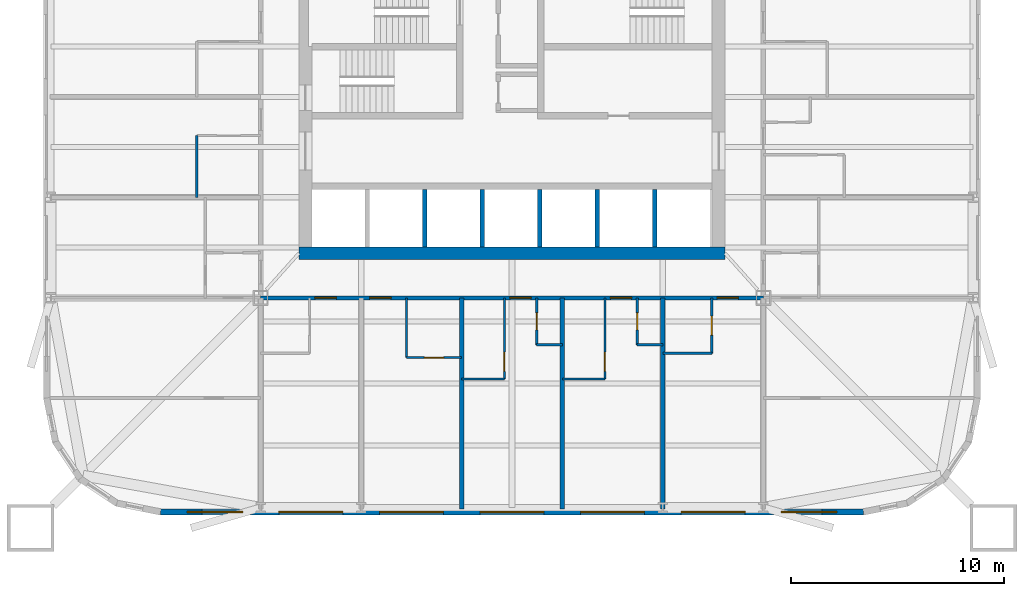
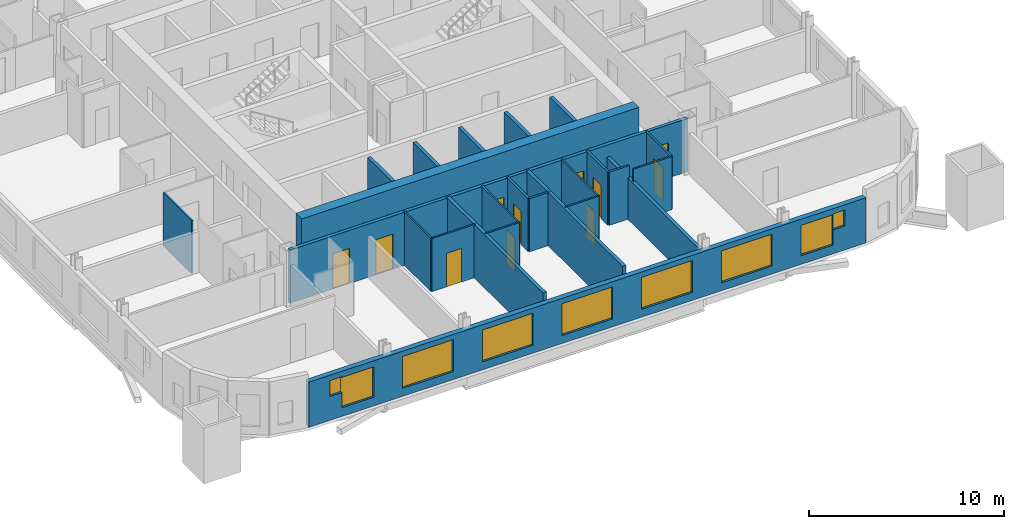
# One storey, part 3 of 10: 24 walls, 11 doors, 9 windows, 20 openings.
"""IFC4 building model written with IfcOpenShell, lengths in metres."""

from ifc_helpers import new_model, si_unit, direction, frame, frame_2d, origin, place, context, subcontext, project, spatial, rectangle, extrude, material, layer, layer_set, type_object, element, fill, save


model = new_model("IFC4")

# Units and contexts
model_context = context("Model", 3, precision=1e-05, world=origin(), true_north=direction((0.0, 1.0)))
body_context = subcontext(model_context, "Body", "Model", "MODEL_VIEW")
ifc_project = project(units=[si_unit("LENGTHUNIT", "METRE"), si_unit("AREAUNIT", "SQUARE_METRE"), si_unit("VOLUMEUNIT", "CUBIC_METRE"), si_unit("PLANEANGLEUNIT", "RADIAN"), si_unit("MASSUNIT", "GRAM", prefix="KILO")], contexts=[model_context])

# Site, building, storey
site_placement = place(None, origin())
site = spatial("IfcSite", under=ifc_project, at=site_placement, CompositionType="ELEMENT")
building_placement = place(site_placement, origin())
building = spatial("IfcBuilding", under=site, at=building_placement, Name="Turquesa Mirador Hotel Tower", CompositionType="ELEMENT")
storey_placement = place(building_placement, frame((0.0, 0.0, 77.5)))
storey = spatial("IfcBuildingStorey", under=building, at=storey_placement, Name="L20", CompositionType="ELEMENT", Elevation=77.5)

# Wall
ifc_material_1 = material(Name="Gypsum board on steel studs", Category="steel")
ifc_layer_1 = layer(ifc_material_1, 0.10009765625)
ifc_layer_set_1 = layer_set([ifc_layer_1], Name="BATHROOM WALL 100")
wall_type_1 = type_object("IfcWallType", Name="BATHROOM WALL 100", PredefinedType="PARTITIONING", material=ifc_layer_set_1)
wall_1_placement = place(storey_placement, frame((62.080078125, 30.60009765625, 0.0), z_axis=(0.0, 0.0, 1.0), x_axis=(1.0, 0.0, 0.0)))
element("IfcWall", 1, at=wall_1_placement, inside=storey, type_object=wall_type_1, Name="Partition L20 007", PredefinedType="PARTITIONING", context=body_context, shape_type="SweptSolid", body=[
    extrude(rectangle(XDim=2.2998046875, YDim=0.10009765625, at=frame_2d((1.14990234375, 0.0))), origin(), (0.0, 0.0, 1.0), 3.330078125),
])

# Wall, opening, door
wall_2_placement = place(storey_placement, frame((50.0400390625, 30.39990234375, 0.0), z_axis=(0.0, 0.0, 1.0), x_axis=(1.0, 0.0, 0.0)))
wall_2 = element("IfcWall", 2, at=wall_2_placement, inside=storey, type_object=wall_type_1, Name="Partition L20 008", PredefinedType="PARTITIONING", context=body_context, shape_type="SweptSolid", body=[
    extrude(rectangle(XDim=2.599853515625, YDim=0.10009765625, at=frame_2d((1.2998046875, 0.0))), origin(), (0.0, 0.0, 1.0), 3.330078125),
])
opening_1_placement = place(wall_2_placement, frame((0.85009765625, 0.0, 0.0)))
opening_1 = element("IfcOpeningElement", 3, at=opening_1_placement, cuts=wall_2, Name="Opening D02", PredefinedType="OPENING", context=body_context, shape_type="SweptSolid", body=[
    extrude(rectangle(XDim=0.89990234375, YDim=2.10009765625, at=frame_2d((0.449951171875, 1.050048828125))), frame((0.0, 0.06005859375, 0.0), z_axis=(0.0, -1.0, 0.0), x_axis=(1.0, 0.0, 0.0)), (0.0, 0.0, 1.0), 0.1201171875),
])
ifc_material_2 = material(Name="Timber veneered door", Category="wood")
door_type_1 = type_object("IfcDoorType", Name="DOOR 900X2100 EN-SUITE", OperationType="SINGLE_SWING_RIGHT", PredefinedType="DOOR", material=ifc_material_2)
door_1_placement = place(opening_1_placement, origin())
door_1 = element("IfcDoor", 4, at=door_1_placement, inside=storey, type_object=door_type_1, Name="Door 2004B", OperationType="SINGLE_SWING_RIGHT", OverallHeight=2.10009765625, OverallWidth=0.89990234375, PredefinedType="DOOR", context=body_context, shape_type="SweptSolid", body=[
    extrude(rectangle(XDim=0.89990234375, YDim=2.10009765625, at=frame_2d((0.449951171875, 1.050048828125))), frame((0.0, 0.02490234375, 0.0), z_axis=(0.0, -1.0, 0.0), x_axis=(1.0, 0.0, 0.0)), (0.0, 0.0, 1.0), 0.050048828125),
])
fill(opening_1, door_1)

# Walls
for number, where, z_axis, x_axis, name in (
    (5, (52.639892578125, 29.39990234375, 0.0), (0.0, 0.0, 1.0), (1.0, 0.0, 0.0), "Partition L20 009"),
    (6, (57.360107421875, 29.39990234375, 0.0), (0.0, 0.0, 1.0), (1.0, 0.0, 0.0), "Partition L20 010"),
):
    element("IfcWall", number, at=place(storey_placement, frame(where, z_axis=z_axis, x_axis=x_axis)), inside=storey, type_object=wall_type_1, Name=name, PredefinedType="PARTITIONING", context=body_context, shape_type="SweptSolid", body=[
        extrude(rectangle(XDim=2.0, YDim=0.10009765625, at=frame_2d((1.0, 0.0))), origin(), (0.0, 0.0, 1.0), 3.330078125),
    ])

# Wall, opening, door
wall_3_placement = place(storey_placement, frame((54.639892578125, 29.39990234375, 0.0), z_axis=(0.0, 0.0, 1.0), x_axis=(0.0, 1.0, 0.0)))
wall_3 = element("IfcWall", 7, at=wall_3_placement, inside=storey, type_object=wall_type_1, Name="Partition L20 041", PredefinedType="PARTITIONING", context=body_context, shape_type="SweptSolid", body=[
    extrude(rectangle(XDim=3.800048828125, YDim=0.10009765625, at=frame_2d((1.89990234375, 0.0))), origin(), (0.0, 0.0, 1.0), 3.330078125),
])
opening_2_placement = place(wall_3_placement, frame((0.35009765625, 0.0, 0.0)))
opening_2 = element("IfcOpeningElement", 8, at=opening_2_placement, cuts=wall_3, Name="Opening D02", PredefinedType="OPENING", context=body_context, shape_type="SweptSolid", body=[
    extrude(rectangle(XDim=0.89990234375, YDim=2.10009765625, at=frame_2d((0.449951171875, 1.050048828125))), frame((0.0, 0.06005859375, 0.0), z_axis=(0.0, -1.0, 0.0), x_axis=(1.0, 0.0, 0.0)), (0.0, 0.0, 1.0), 0.1201171875),
])
door_2_placement = place(opening_2_placement, origin())
door_2 = element("IfcDoor", 9, at=door_2_placement, inside=storey, type_object=door_type_1, Name="Door 2005B", OperationType="SINGLE_SWING_RIGHT", OverallHeight=2.10009765625, OverallWidth=0.89990234375, PredefinedType="DOOR", context=body_context, shape_type="SweptSolid", body=[
    extrude(rectangle(XDim=0.89990234375, YDim=2.10009765625, at=frame_2d((0.449951171875, 1.050048828125))), frame((0.0, 0.02490234375, 0.0), z_axis=(0.0, -1.0, 0.0), x_axis=(1.0, 0.0, 0.0)), (0.0, 0.0, 1.0), 0.050048828125),
])
fill(opening_2, door_2)

# Walls
wall_4_placement = place(storey_placement, frame((40.199951171875, 37.919921875, 0.0), z_axis=(0.0, 0.0, 1.0), x_axis=(0.0, 1.0, 0.0)))
element("IfcWall", 10, at=wall_4_placement, inside=storey, type_object=wall_type_1, Name="Partition L20 051", PredefinedType="PARTITIONING", context=body_context, shape_type="SweptSolid", body=[
    extrude(rectangle(XDim=2.900146484375, YDim=0.10009765625, at=frame_2d((1.4501953125, 0.0))), origin(), (0.0, 0.0, 1.0), 3.330078125),
])
wall_5_placement = place(storey_placement, frame((50.0400390625, 30.39990234375, 0.0), z_axis=(0.0, 0.0, 1.0), x_axis=(0.0, 1.0, 0.0)))
element("IfcWall", 11, at=wall_5_placement, inside=storey, type_object=wall_type_1, Name="Partition L20 056", PredefinedType="PARTITIONING", context=body_context, shape_type="SweptSolid", body=[
    extrude(rectangle(XDim=2.800048828125, YDim=0.10009765625, at=frame_2d((1.39990234375, 0.0))), origin(), (0.0, 0.0, 1.0), 3.330078125),
])

# Wall, opening, door
wall_6_placement = place(storey_placement, frame((59.360107421875, 29.39990234375, 0.0), z_axis=(0.0, 0.0, 1.0), x_axis=(0.0, 1.0, 0.0)))
wall_6 = element("IfcWall", 12, at=wall_6_placement, inside=storey, type_object=wall_type_1, Name="Partition L20 075", PredefinedType="PARTITIONING", context=body_context, shape_type="SweptSolid", body=[
    extrude(rectangle(XDim=3.800048828125, YDim=0.10009765625, at=frame_2d((1.89990234375, 0.0))), origin(), (0.0, 0.0, 1.0), 3.330078125),
])
opening_3_placement = place(wall_6_placement, frame((0.35009765625, 0.0, 0.0)))
opening_3 = element("IfcOpeningElement", 13, at=opening_3_placement, cuts=wall_6, Name="Opening D02", PredefinedType="OPENING", context=body_context, shape_type="SweptSolid", body=[
    extrude(rectangle(XDim=0.89990234375, YDim=2.10009765625, at=frame_2d((0.449951171875, 1.050048828125))), frame((0.0, 0.06005859375, 0.0), z_axis=(0.0, -1.0, 0.0), x_axis=(1.0, 0.0, 0.0)), (0.0, 0.0, 1.0), 0.1201171875),
])
door_3_placement = place(opening_3_placement, origin())
door_3 = element("IfcDoor", 14, at=door_3_placement, inside=storey, type_object=door_type_1, Name="Door 2006B", OperationType="SINGLE_SWING_RIGHT", OverallHeight=2.10009765625, OverallWidth=0.89990234375, PredefinedType="DOOR", context=body_context, shape_type="SweptSolid", body=[
    extrude(rectangle(XDim=0.89990234375, YDim=2.10009765625, at=frame_2d((0.449951171875, 1.050048828125))), frame((0.0, 0.02490234375, 0.0), z_axis=(0.0, -1.0, 0.0), x_axis=(1.0, 0.0, 0.0)), (0.0, 0.0, 1.0), 0.050048828125),
])
fill(opening_3, door_3)

wall_7_placement = place(storey_placement, frame((64.3798828125, 30.60009765625, 0.0), z_axis=(0.0, 0.0, 1.0), x_axis=(0.0, 1.0, 0.0)))
wall_7 = element("IfcWall", 15, at=wall_7_placement, inside=storey, type_object=wall_type_1, Name="Partition L20 079", PredefinedType="PARTITIONING", context=body_context, shape_type="SweptSolid", body=[
    extrude(rectangle(XDim=2.599853515625, YDim=0.10009765625, at=frame_2d((1.2998046875, 0.0))), origin(), (0.0, 0.0, 1.0), 3.330078125),
])
opening_4_placement = place(wall_7_placement, frame((0.85009765625, 0.0, 0.0)))
opening_4 = element("IfcOpeningElement", 16, at=opening_4_placement, cuts=wall_7, Name="Opening D02", PredefinedType="OPENING", context=body_context, shape_type="SweptSolid", body=[
    extrude(rectangle(XDim=0.89990234375, YDim=2.10009765625, at=frame_2d((0.449951171875, 1.050048828125))), frame((0.0, 0.06005859375, 0.0), z_axis=(0.0, -1.0, 0.0), x_axis=(1.0, 0.0, 0.0)), (0.0, 0.0, 1.0), 0.1201171875),
])
door_4_placement = place(opening_4_placement, origin())
door_4 = element("IfcDoor", 17, at=door_4_placement, inside=storey, type_object=door_type_1, Name="Door 2007B", OperationType="SINGLE_SWING_RIGHT", OverallHeight=2.10009765625, OverallWidth=0.89990234375, PredefinedType="DOOR", context=body_context, shape_type="SweptSolid", body=[
    extrude(rectangle(XDim=0.89990234375, YDim=2.10009765625, at=frame_2d((0.449951171875, 1.050048828125))), frame((0.0, 0.02490234375, 0.0), z_axis=(0.0, -1.0, 0.0), x_axis=(1.0, 0.0, 0.0)), (0.0, 0.0, 1.0), 0.050048828125),
])
fill(opening_4, door_4)

# Wall
ifc_material_3 = material(Name="Concrete C50/60", Category="concrete")
ifc_layer_2 = layer(ifc_material_3, 0.60009765625)
ifc_layer_set_2 = layer_set([ifc_layer_2], Name="CORE WALL 600")
wall_type_2 = type_object("IfcWallType", Name="CORE WALL 600", PredefinedType="SHEAR", material=ifc_layer_set_2)
wall_8_placement = place(storey_placement, frame((45.0, 35.300048828125, 0.0), z_axis=(0.0, 0.0, 1.0), x_axis=(1.0, 0.0, 0.0)))
element("IfcWall", 18, at=wall_8_placement, inside=storey, type_object=wall_type_2, Name="Core wall S", PredefinedType="SHEAR", context=body_context, shape_type="SweptSolid", body=[
    extrude(rectangle(XDim=20.0, YDim=0.60009765625, at=frame_2d((10.0, 0.0))), origin(), (0.0, 0.0, 1.0), 3.5),
])

# Wall, openings, doors
ifc_material_4 = material(Name="Fire-rated gypsum board on steel studs", Category="steel")
ifc_layer_3 = layer(ifc_material_4, 0.199951171875)
ifc_layer_set_3 = layer_set([ifc_layer_3], Name="CORRIDOR WALL 200")
wall_type_3 = type_object("IfcWallType", Name="CORRIDOR WALL 200", PredefinedType="PARTITIONING", material=ifc_layer_set_3)
wall_9_placement = place(storey_placement, frame((43.199951171875, 33.199951171875, 0.0), z_axis=(0.0, 0.0, 1.0), x_axis=(1.0, 0.0, 0.0)))
wall_9 = element("IfcWall", 19, at=wall_9_placement, inside=storey, type_object=wall_type_3, Name="Partition L20 001", PredefinedType="PARTITIONING", context=body_context, shape_type="SweptSolid", body=[
    extrude(rectangle(XDim=23.60009765625, YDim=0.199951171875, at=frame_2d((11.800048828125, 0.0))), origin(), (0.0, 0.0, 1.0), 3.330078125),
])
opening_5_placement = place(wall_9_placement, frame((2.550048828125, 0.0, 0.0)))
opening_5 = element("IfcOpeningElement", 20, at=opening_5_placement, cuts=wall_9, Name="Opening D01", PredefinedType="OPENING", context=body_context, shape_type="SweptSolid", body=[
    extrude(rectangle(XDim=1.0, YDim=2.199951171875, at=frame_2d((0.5, 1.10009765625))), frame((0.0, 0.10986328125, 0.0), z_axis=(0.0, -1.0, 0.0), x_axis=(1.0, 0.0, 0.0)), (0.0, 0.0, 1.0), 0.219970703125),
])
opening_6_placement = place(wall_9_placement, frame((5.1201171875, 0.0, 0.0)))
opening_6 = element("IfcOpeningElement", 21, at=opening_6_placement, cuts=wall_9, Name="Opening D01", PredefinedType="OPENING", context=body_context, shape_type="SweptSolid", body=[
    extrude(rectangle(XDim=1.0, YDim=2.199951171875, at=frame_2d((0.5, 1.10009765625))), frame((0.0, 0.10986328125, 0.0), z_axis=(0.0, -1.0, 0.0), x_axis=(1.0, 0.0, 0.0)), (0.0, 0.0, 1.0), 0.219970703125),
])
opening_7_placement = place(wall_9_placement, frame((11.699951171875, 0.0, 0.0)))
opening_7 = element("IfcOpeningElement", 22, at=opening_7_placement, cuts=wall_9, Name="Opening D01", PredefinedType="OPENING", context=body_context, shape_type="SweptSolid", body=[
    extrude(rectangle(XDim=1.0, YDim=2.199951171875, at=frame_2d((0.5, 1.10009765625))), frame((0.0, 0.10986328125, 0.0), z_axis=(0.0, -1.0, 0.0), x_axis=(1.0, 0.0, 0.0)), (0.0, 0.0, 1.0), 0.219970703125),
])
opening_8_placement = place(wall_9_placement, frame((16.419921875, 0.0, 0.0)))
opening_8 = element("IfcOpeningElement", 23, at=opening_8_placement, cuts=wall_9, Name="Opening D01", PredefinedType="OPENING", context=body_context, shape_type="SweptSolid", body=[
    extrude(rectangle(XDim=1.0, YDim=2.199951171875, at=frame_2d((0.5, 1.10009765625))), frame((0.0, 0.10986328125, 0.0), z_axis=(0.0, -1.0, 0.0), x_axis=(1.0, 0.0, 0.0)), (0.0, 0.0, 1.0), 0.219970703125),
])
opening_9_placement = place(wall_9_placement, frame((21.429931640625, 0.0, 0.0)))
opening_9 = element("IfcOpeningElement", 24, at=opening_9_placement, cuts=wall_9, Name="Opening D01", PredefinedType="OPENING", context=body_context, shape_type="SweptSolid", body=[
    extrude(rectangle(XDim=1.0, YDim=2.199951171875, at=frame_2d((0.5, 1.10009765625))), frame((0.0, 0.10986328125, 0.0), z_axis=(0.0, -1.0, 0.0), x_axis=(1.0, 0.0, 0.0)), (0.0, 0.0, 1.0), 0.219970703125),
])
ifc_material_5 = material(Name="Timber veneered fire door", Category="wood")
door_type_2 = type_object("IfcDoorType", Name="DOOR 1000X2200 GUEST ENTRY", OperationType="SINGLE_SWING_LEFT", PredefinedType="DOOR", material=ifc_material_5)
door_5_placement = place(opening_5_placement, origin())
door_5 = element("IfcDoor", 25, at=door_5_placement, inside=storey, type_object=door_type_2, Name="Door 2003", OperationType="SINGLE_SWING_LEFT", OverallHeight=2.199951171875, OverallWidth=1.0, PredefinedType="DOOR", context=body_context, shape_type="SweptSolid", body=[
    extrude(rectangle(XDim=1.0, YDim=2.199951171875, at=frame_2d((0.5, 1.10009765625))), frame((0.0, 0.02490234375, 0.0), z_axis=(0.0, -1.0, 0.0), x_axis=(1.0, 0.0, 0.0)), (0.0, 0.0, 1.0), 0.050048828125),
])
fill(opening_5, door_5)
door_6_placement = place(opening_6_placement, origin())
door_6 = element("IfcDoor", 26, at=door_6_placement, inside=storey, type_object=door_type_2, Name="Door 2004", OperationType="SINGLE_SWING_LEFT", OverallHeight=2.199951171875, OverallWidth=1.0, PredefinedType="DOOR", context=body_context, shape_type="SweptSolid", body=[
    extrude(rectangle(XDim=1.0, YDim=2.199951171875, at=frame_2d((0.5, 1.10009765625))), frame((0.0, 0.02490234375, 0.0), z_axis=(0.0, -1.0, 0.0), x_axis=(1.0, 0.0, 0.0)), (0.0, 0.0, 1.0), 0.050048828125),
])
fill(opening_6, door_6)
door_7_placement = place(opening_7_placement, origin())
door_7 = element("IfcDoor", 27, at=door_7_placement, inside=storey, type_object=door_type_2, Name="Door 2005", OperationType="SINGLE_SWING_LEFT", OverallHeight=2.199951171875, OverallWidth=1.0, PredefinedType="DOOR", context=body_context, shape_type="SweptSolid", body=[
    extrude(rectangle(XDim=1.0, YDim=2.199951171875, at=frame_2d((0.5, 1.10009765625))), frame((0.0, 0.02490234375, 0.0), z_axis=(0.0, -1.0, 0.0), x_axis=(1.0, 0.0, 0.0)), (0.0, 0.0, 1.0), 0.050048828125),
])
fill(opening_7, door_7)
door_8_placement = place(opening_8_placement, origin())
door_8 = element("IfcDoor", 28, at=door_8_placement, inside=storey, type_object=door_type_2, Name="Door 2006", OperationType="SINGLE_SWING_LEFT", OverallHeight=2.199951171875, OverallWidth=1.0, PredefinedType="DOOR", context=body_context, shape_type="SweptSolid", body=[
    extrude(rectangle(XDim=1.0, YDim=2.199951171875, at=frame_2d((0.5, 1.10009765625))), frame((0.0, 0.02490234375, 0.0), z_axis=(0.0, -1.0, 0.0), x_axis=(1.0, 0.0, 0.0)), (0.0, 0.0, 1.0), 0.050048828125),
])
fill(opening_8, door_8)
door_9_placement = place(opening_9_placement, origin())
door_9 = element("IfcDoor", 29, at=door_9_placement, inside=storey, type_object=door_type_2, Name="Door 2007", OperationType="SINGLE_SWING_LEFT", OverallHeight=2.199951171875, OverallWidth=1.0, PredefinedType="DOOR", context=body_context, shape_type="SweptSolid", body=[
    extrude(rectangle(XDim=1.0, YDim=2.199951171875, at=frame_2d((0.5, 1.10009765625))), frame((0.0, 0.02490234375, 0.0), z_axis=(0.0, -1.0, 0.0), x_axis=(1.0, 0.0, 0.0)), (0.0, 0.0, 1.0), 0.050048828125),
])
fill(opening_9, door_9)

# Wall, openings, windows
ifc_material_6 = material(Name="Limestone cladding on concrete block", Category="masonry")
ifc_layer_4 = layer(ifc_material_6, 0.300048828125)
ifc_layer_set_4 = layer_set([ifc_layer_4], Name="FACADE WALL 300 STONE SCREEN")
wall_type_4 = type_object("IfcWallType", Name="FACADE WALL 300 STONE SCREEN", PredefinedType="SOLIDWALL", material=ifc_layer_set_4)
wall_10_placement = place(storey_placement, frame((38.5, 23.14990234375, 0.0), z_axis=(0.0, 0.0, 1.0), x_axis=(1.0, 0.0, 0.0)))
wall_10 = element("IfcWall", 30, at=wall_10_placement, inside=storey, type_object=wall_type_4, Name="Facade wall L20 19", PredefinedType="SOLIDWALL", context=body_context, shape_type="SweptSolid", body=[
    extrude(rectangle(XDim=33.0, YDim=0.300048828125, at=frame_2d((16.5, 0.0))), origin(), (0.0, 0.0, 1.0), 2.830078125),
])
opening_10_placement = place(wall_10_placement, frame((1.949951171875, 0.0, 0.550048828125)))
opening_10 = element("IfcOpeningElement", 31, at=opening_10_placement, cuts=wall_10, Name="Opening WN48", PredefinedType="OPENING", context=body_context, shape_type="SweptSolid", body=[
    extrude(rectangle(XDim=1.89990234375, YDim=1.89990234375, at=frame_2d((0.949951171875, 0.949951171875))), frame((0.0, 0.159912109375, 0.0), z_axis=(0.0, -1.0, 0.0), x_axis=(1.0, 0.0, 0.0)), (0.0, 0.0, 1.0), 0.320068359375),
])
opening_11_placement = place(wall_10_placement, frame((5.56005859375, 0.0, 0.5)))
opening_11 = element("IfcOpeningElement", 32, at=opening_11_placement, cuts=wall_10, Name="Opening WN1", PredefinedType="OPENING", context=body_context, shape_type="SweptSolid", body=[
    extrude(rectangle(XDim=3.0, YDim=2.0, at=frame_2d((1.5, 1.0))), frame((0.0, 0.159912109375, 0.0), z_axis=(0.0, -1.0, 0.0), x_axis=(1.0, 0.0, 0.0)), (0.0, 0.0, 1.0), 0.320068359375),
])
opening_12_placement = place(wall_10_placement, frame((10.280029296875, 0.0, 0.5)))
opening_12 = element("IfcOpeningElement", 33, at=opening_12_placement, cuts=wall_10, Name="Opening WN1", PredefinedType="OPENING", context=body_context, shape_type="SweptSolid", body=[
    extrude(rectangle(XDim=3.0, YDim=2.0, at=frame_2d((1.5, 1.0))), frame((0.0, 0.159912109375, 0.0), z_axis=(0.0, -1.0, 0.0), x_axis=(1.0, 0.0, 0.0)), (0.0, 0.0, 1.0), 0.320068359375),
])
opening_13_placement = place(wall_10_placement, frame((15.0, 0.0, 0.5)))
opening_13 = element("IfcOpeningElement", 34, at=opening_13_placement, cuts=wall_10, Name="Opening WN1", PredefinedType="OPENING", context=body_context, shape_type="SweptSolid", body=[
    extrude(rectangle(XDim=3.0, YDim=2.0, at=frame_2d((1.5, 1.0))), frame((0.0, 0.159912109375, 0.0), z_axis=(0.0, -1.0, 0.0), x_axis=(1.0, 0.0, 0.0)), (0.0, 0.0, 1.0), 0.320068359375),
])
opening_14_placement = place(wall_10_placement, frame((19.719970703125, 0.0, 0.5)))
opening_14 = element("IfcOpeningElement", 35, at=opening_14_placement, cuts=wall_10, Name="Opening WN1", PredefinedType="OPENING", context=body_context, shape_type="SweptSolid", body=[
    extrude(rectangle(XDim=3.0, YDim=2.0, at=frame_2d((1.5, 1.0))), frame((0.0, 0.159912109375, 0.0), z_axis=(0.0, -1.0, 0.0), x_axis=(1.0, 0.0, 0.0)), (0.0, 0.0, 1.0), 0.320068359375),
])
opening_15_placement = place(wall_10_placement, frame((24.43994140625, 0.0, 0.5)))
opening_15 = element("IfcOpeningElement", 36, at=opening_15_placement, cuts=wall_10, Name="Opening WN1", PredefinedType="OPENING", context=body_context, shape_type="SweptSolid", body=[
    extrude(rectangle(XDim=3.0, YDim=2.0, at=frame_2d((1.5, 1.0))), frame((0.0, 0.159912109375, 0.0), z_axis=(0.0, -1.0, 0.0), x_axis=(1.0, 0.0, 0.0)), (0.0, 0.0, 1.0), 0.320068359375),
])
opening_16_placement = place(wall_10_placement, frame((29.14990234375, 0.0, 0.550048828125)))
opening_16 = element("IfcOpeningElement", 37, at=opening_16_placement, cuts=wall_10, Name="Opening WN48", PredefinedType="OPENING", context=body_context, shape_type="SweptSolid", body=[
    extrude(rectangle(XDim=1.89990234375, YDim=1.89990234375, at=frame_2d((0.949951171875, 0.949951171875))), frame((0.0, 0.159912109375, 0.0), z_axis=(0.0, -1.0, 0.0), x_axis=(1.0, 0.0, 0.0)), (0.0, 0.0, 1.0), 0.320068359375),
])
opening_17_placement = place(wall_10_placement, frame((1.25, 0.0, 1.5)))
opening_17 = element("IfcOpeningElement", 38, at=opening_17_placement, cuts=wall_10, Name="Opening WN32", PredefinedType="OPENING", context=body_context, shape_type="SweptSolid", body=[
    extrude(rectangle(XDim=0.699951171875, YDim=1.0, at=frame_2d((0.35009765625, 0.5))), frame((0.0, 0.159912109375, 0.0), z_axis=(0.0, -1.0, 0.0), x_axis=(1.0, 0.0, 0.0)), (0.0, 0.0, 1.0), 0.320068359375),
])
opening_18_placement = place(wall_10_placement, frame((31.050048828125, 0.0, 1.5)))
opening_18 = element("IfcOpeningElement", 39, at=opening_18_placement, cuts=wall_10, Name="Opening WN32", PredefinedType="OPENING", context=body_context, shape_type="SweptSolid", body=[
    extrude(rectangle(XDim=0.699951171875, YDim=1.0, at=frame_2d((0.35009765625, 0.5))), frame((0.0, 0.159912109375, 0.0), z_axis=(0.0, -1.0, 0.0), x_axis=(1.0, 0.0, 0.0)), (0.0, 0.0, 1.0), 0.320068359375),
])
ifc_material_7 = material(Name="Ceramic-fritted laminated glass", Category="glass")
window_type_1 = type_object("IfcWindowType", Name="FRITTED WINDOW 1900X1900", PartitioningType="DOUBLE_PANEL_HORIZONTAL", PredefinedType="WINDOW", material=ifc_material_7)
window_1_placement = place(opening_10_placement, origin())
window_1 = element("IfcWindow", 40, at=window_1_placement, inside=storey, type_object=window_type_1, Name="Window L20", OverallHeight=1.89990234375, OverallWidth=1.89990234375, PartitioningType="SINGLE_PANEL", PredefinedType="WINDOW", context=body_context, shape_type="SweptSolid", body=[
    extrude(rectangle(XDim=1.89990234375, YDim=1.89990234375, at=frame_2d((0.949951171875, 0.949951171875))), frame((0.0, 0.030029296875, 0.0), z_axis=(0.0, -1.0, 0.0), x_axis=(1.0, 0.0, 0.0)), (0.0, 0.0, 1.0), 0.06005859375),
])
fill(opening_10, window_1)
window_2_placement = place(opening_16_placement, origin())
window_2 = element("IfcWindow", 41, at=window_2_placement, inside=storey, type_object=window_type_1, Name="Window L20", OverallHeight=1.89990234375, OverallWidth=1.89990234375, PartitioningType="SINGLE_PANEL", PredefinedType="WINDOW", context=body_context, shape_type="SweptSolid", body=[
    extrude(rectangle(XDim=1.89990234375, YDim=1.89990234375, at=frame_2d((0.949951171875, 0.949951171875))), frame((0.0, 0.030029296875, 0.0), z_axis=(0.0, -1.0, 0.0), x_axis=(1.0, 0.0, 0.0)), (0.0, 0.0, 1.0), 0.06005859375),
])
fill(opening_16, window_2)
ifc_material_8 = material(Name="Ceramic-fritted laminated glass", Category="glass")
window_type_2 = type_object("IfcWindowType", Name="FRITTED WINDOW 3000X2000", PartitioningType="DOUBLE_PANEL_HORIZONTAL", PredefinedType="WINDOW", material=ifc_material_8)
window_3_placement = place(opening_11_placement, origin())
window_3 = element("IfcWindow", 42, at=window_3_placement, inside=storey, type_object=window_type_2, Name="Window L20", OverallHeight=2.0, OverallWidth=3.0, PartitioningType="SINGLE_PANEL", PredefinedType="WINDOW", context=body_context, shape_type="SweptSolid", body=[
    extrude(rectangle(XDim=3.0, YDim=2.0, at=frame_2d((1.5, 1.0))), frame((0.0, 0.030029296875, 0.0), z_axis=(0.0, -1.0, 0.0), x_axis=(1.0, 0.0, 0.0)), (0.0, 0.0, 1.0), 0.06005859375),
])
fill(opening_11, window_3)
window_4_placement = place(opening_12_placement, origin())
window_4 = element("IfcWindow", 43, at=window_4_placement, inside=storey, type_object=window_type_2, Name="Window L20", OverallHeight=2.0, OverallWidth=3.0, PartitioningType="SINGLE_PANEL", PredefinedType="WINDOW", context=body_context, shape_type="SweptSolid", body=[
    extrude(rectangle(XDim=3.0, YDim=2.0, at=frame_2d((1.5, 1.0))), frame((0.0, 0.030029296875, 0.0), z_axis=(0.0, -1.0, 0.0), x_axis=(1.0, 0.0, 0.0)), (0.0, 0.0, 1.0), 0.06005859375),
])
fill(opening_12, window_4)
window_5_placement = place(opening_13_placement, origin())
window_5 = element("IfcWindow", 44, at=window_5_placement, inside=storey, type_object=window_type_2, Name="Window L20", OverallHeight=2.0, OverallWidth=3.0, PartitioningType="SINGLE_PANEL", PredefinedType="WINDOW", context=body_context, shape_type="SweptSolid", body=[
    extrude(rectangle(XDim=3.0, YDim=2.0, at=frame_2d((1.5, 1.0))), frame((0.0, 0.030029296875, 0.0), z_axis=(0.0, -1.0, 0.0), x_axis=(1.0, 0.0, 0.0)), (0.0, 0.0, 1.0), 0.06005859375),
])
fill(opening_13, window_5)
window_6_placement = place(opening_14_placement, origin())
window_6 = element("IfcWindow", 45, at=window_6_placement, inside=storey, type_object=window_type_2, Name="Window L20", OverallHeight=2.0, OverallWidth=3.0, PartitioningType="SINGLE_PANEL", PredefinedType="WINDOW", context=body_context, shape_type="SweptSolid", body=[
    extrude(rectangle(XDim=3.0, YDim=2.0, at=frame_2d((1.5, 1.0))), frame((0.0, 0.030029296875, 0.0), z_axis=(0.0, -1.0, 0.0), x_axis=(1.0, 0.0, 0.0)), (0.0, 0.0, 1.0), 0.06005859375),
])
fill(opening_14, window_6)
window_7_placement = place(opening_15_placement, origin())
window_7 = element("IfcWindow", 46, at=window_7_placement, inside=storey, type_object=window_type_2, Name="Window L20", OverallHeight=2.0, OverallWidth=3.0, PartitioningType="SINGLE_PANEL", PredefinedType="WINDOW", context=body_context, shape_type="SweptSolid", body=[
    extrude(rectangle(XDim=3.0, YDim=2.0, at=frame_2d((1.5, 1.0))), frame((0.0, 0.030029296875, 0.0), z_axis=(0.0, -1.0, 0.0), x_axis=(1.0, 0.0, 0.0)), (0.0, 0.0, 1.0), 0.06005859375),
])
fill(opening_15, window_7)
ifc_material_9 = material(Name="Ceramic-fritted laminated glass", Category="glass")
window_type_3 = type_object("IfcWindowType", Name="FRITTED WINDOW 700X1000", PartitioningType="DOUBLE_PANEL_HORIZONTAL", PredefinedType="WINDOW", material=ifc_material_9)
window_8_placement = place(opening_17_placement, origin())
window_8 = element("IfcWindow", 47, at=window_8_placement, inside=storey, type_object=window_type_3, Name="Window L20", OverallHeight=1.0, OverallWidth=0.699951171875, PartitioningType="SINGLE_PANEL", PredefinedType="WINDOW", context=body_context, shape_type="SweptSolid", body=[
    extrude(rectangle(XDim=0.699951171875, YDim=1.0, at=frame_2d((0.35009765625, 0.5))), frame((0.0, 0.030029296875, 0.0), z_axis=(0.0, -1.0, 0.0), x_axis=(1.0, 0.0, 0.0)), (0.0, 0.0, 1.0), 0.06005859375),
])
fill(opening_17, window_8)
window_9_placement = place(opening_18_placement, origin())
window_9 = element("IfcWindow", 48, at=window_9_placement, inside=storey, type_object=window_type_3, Name="Window L20", OverallHeight=1.0, OverallWidth=0.699951171875, PartitioningType="SINGLE_PANEL", PredefinedType="WINDOW", context=body_context, shape_type="SweptSolid", body=[
    extrude(rectangle(XDim=0.699951171875, YDim=1.0, at=frame_2d((0.35009765625, 0.5))), frame((0.0, 0.030029296875, 0.0), z_axis=(0.0, -1.0, 0.0), x_axis=(1.0, 0.0, 0.0)), (0.0, 0.0, 1.0), 0.06005859375),
])
fill(opening_18, window_9)

# Walls
ifc_material_10 = material(Name="Fire-rated gypsum shaft wall on steel studs", Category="steel")
ifc_layer_5 = layer(ifc_material_10, 0.199951171875)
ifc_layer_set_5 = layer_set([ifc_layer_5], Name="LIFT SHAFT DIVIDER 200")
wall_type_5 = type_object("IfcWallType", Name="LIFT SHAFT DIVIDER 200", PredefinedType="PARTITIONING", material=ifc_layer_set_5)
for number, where, z_axis, x_axis, name in (
    (49, (50.89990234375, 35.60009765625, 0.0), (0.0, 0.0, 1.0), (0.0, 1.0, 0.0), "Lift shaft divider"),
    (50, (53.60009765625, 35.60009765625, 0.0), (0.0, 0.0, 1.0), (0.0, 1.0, 0.0), "Lift shaft divider"),
    (51, (56.300048828125, 35.60009765625, 0.0), (0.0, 0.0, 1.0), (0.0, 1.0, 0.0), "Lift shaft divider"),
    (52, (59.0, 35.60009765625, 0.0), (0.0, 0.0, 1.0), (0.0, 1.0, 0.0), "Lift shaft divider"),
    (53, (61.699951171875, 35.60009765625, 0.0), (0.0, 0.0, 1.0), (0.0, 1.0, 0.0), "Lift shaft divider"),
):
    element("IfcWall", number, at=place(storey_placement, frame(where, z_axis=z_axis, x_axis=x_axis)), inside=storey, type_object=wall_type_5, Name=name, PredefinedType="PARTITIONING", context=body_context, shape_type="SweptSolid", body=[
        extrude(rectangle(XDim=2.699951171875, YDim=0.199951171875, at=frame_2d((1.35009765625, 0.0))), origin(), (0.0, 0.0, 1.0), 3.330078125),
    ])
ifc_material_11 = material(Name="Fire-rated gypsum board on steel studs", Category="steel")
ifc_layer_6 = layer(ifc_material_11, 0.199951171875)
ifc_layer_set_6 = layer_set([ifc_layer_6], Name="PARTY WALL 200")
wall_type_6 = type_object("IfcWallType", Name="PARTY WALL 200", PredefinedType="PARTITIONING", material=ifc_layer_set_6)
for number, where, z_axis, x_axis, name in (
    (54, (52.639892578125, 23.300048828125, 0.0), (0.0, 0.0, 1.0), (0.0, 1.0, 0.0), "Partition L20 054"),
    (55, (57.360107421875, 23.300048828125, 0.0), (0.0, 0.0, 1.0), (0.0, 1.0, 0.0), "Partition L20 073"),
):
    element("IfcWall", number, at=place(storey_placement, frame(where, z_axis=z_axis, x_axis=x_axis)), inside=storey, type_object=wall_type_6, Name=name, PredefinedType="PARTITIONING", context=body_context, shape_type="SweptSolid", body=[
        extrude(rectangle(XDim=9.89990234375, YDim=0.199951171875, at=frame_2d((4.949951171875, 0.0))), origin(), (0.0, 0.0, 1.0), 3.330078125),
    ])
wall_11_placement = place(storey_placement, frame((62.080078125, 23.300048828125, 0.0), z_axis=(0.0, 0.0, 1.0), x_axis=(0.0, 1.0, 0.0)))
element("IfcWall", 56, at=wall_11_placement, inside=storey, type_object=wall_type_6, Name="Partition L20 078", PredefinedType="PARTITIONING", context=body_context, shape_type="SweptSolid", body=[
    extrude(rectangle(XDim=9.89990234375, YDim=0.199951171875, at=frame_2d((4.949951171875, 0.0))), origin(), (0.0, 0.0, 1.0), 2.572998046875),
])
ifc_material_12 = material(Name="Acoustic gypsum board on steel studs", Category="steel")
ifc_layer_7 = layer(ifc_material_12, 0.125)
ifc_layer_set_7 = layer_set([ifc_layer_7], Name="SUITE PARTITION 125")
wall_type_7 = type_object("IfcWallType", Name="SUITE PARTITION 125", PredefinedType="PARTITIONING", material=ifc_layer_set_7)
for number, where, z_axis, x_axis, name in (
    (57, (56.159912109375, 31.0, 0.0), (0.0, 0.0, 1.0), (1.0, 0.0, 0.0), "Partition L20 004"),
    (58, (60.8798828125, 31.0, 0.0), (0.0, 0.0, 1.0), (1.0, 0.0, 0.0), "Partition L20 005"),
):
    element("IfcWall", number, at=place(storey_placement, frame(where, z_axis=z_axis, x_axis=x_axis)), inside=storey, type_object=wall_type_7, Name=name, PredefinedType="PARTITIONING", context=body_context, shape_type="SweptSolid", body=[
        extrude(rectangle(XDim=1.2001953125, YDim=0.125, at=frame_2d((0.60009765625, 0.0))), origin(), (0.0, 0.0, 1.0), 3.330078125),
    ])

# Wall, opening, door
wall_12_placement = place(storey_placement, frame((56.159912109375, 31.0, 0.0), z_axis=(0.0, 0.0, 1.0), x_axis=(0.0, 1.0, 0.0)))
wall_12 = element("IfcWall", 59, at=wall_12_placement, inside=storey, type_object=wall_type_7, Name="Partition L20 059", PredefinedType="PARTITIONING", context=body_context, shape_type="SweptSolid", body=[
    extrude(rectangle(XDim=2.199951171875, YDim=0.125, at=frame_2d((1.10009765625, 0.0))), origin(), (0.0, 0.0, 1.0), 3.330078125),
])
opening_19_placement = place(wall_12_placement, frame((0.699951171875, 0.0, 0.0)))
opening_19 = element("IfcOpeningElement", 60, at=opening_19_placement, cuts=wall_12, Name="Opening D20", PredefinedType="OPENING", context=body_context, shape_type="SweptSolid", body=[
    extrude(rectangle(XDim=0.800048828125, YDim=2.10009765625, at=frame_2d((0.39990234375, 1.050048828125))), frame((0.0, 0.072509765625, 0.0), z_axis=(0.0, -1.0, 0.0), x_axis=(1.0, 0.0, 0.0)), (0.0, 0.0, 1.0), 0.14501953125),
])
ifc_material_13 = material(Name="Timber veneered sliding door", Category="wood")
door_type_3 = type_object("IfcDoorType", Name="DOOR 800X2100 WARDROBE", OperationType="SLIDING_TO_LEFT", PredefinedType="DOOR", material=ifc_material_13)
door_10_placement = place(opening_19_placement, origin())
door_10 = element("IfcDoor", 61, at=door_10_placement, inside=storey, type_object=door_type_3, Name="Door 2005W", OperationType="SLIDING_TO_LEFT", OverallHeight=2.10009765625, OverallWidth=0.800048828125, PredefinedType="DOOR", context=body_context, shape_type="SweptSolid", body=[
    extrude(rectangle(XDim=0.800048828125, YDim=2.10009765625, at=frame_2d((0.39990234375, 1.050048828125))), frame((0.0, 0.02490234375, 0.0), z_axis=(0.0, -1.0, 0.0), x_axis=(1.0, 0.0, 0.0)), (0.0, 0.0, 1.0), 0.050048828125),
])
fill(opening_19, door_10)

wall_13_placement = place(storey_placement, frame((60.8798828125, 31.0, 0.0), z_axis=(0.0, 0.0, 1.0), x_axis=(0.0, 1.0, 0.0)))
wall_13 = element("IfcWall", 62, at=wall_13_placement, inside=storey, type_object=wall_type_7, Name="Partition L20 077", PredefinedType="PARTITIONING", context=body_context, shape_type="SweptSolid", body=[
    extrude(rectangle(XDim=2.199951171875, YDim=0.125, at=frame_2d((1.10009765625, 0.0))), origin(), (0.0, 0.0, 1.0), 3.330078125),
])
opening_20_placement = place(wall_13_placement, frame((0.699951171875, 0.0, 0.0)))
opening_20 = element("IfcOpeningElement", 63, at=opening_20_placement, cuts=wall_13, Name="Opening D20", PredefinedType="OPENING", context=body_context, shape_type="SweptSolid", body=[
    extrude(rectangle(XDim=0.800048828125, YDim=2.10009765625, at=frame_2d((0.39990234375, 1.050048828125))), frame((0.0, 0.072509765625, 0.0), z_axis=(0.0, -1.0, 0.0), x_axis=(1.0, 0.0, 0.0)), (0.0, 0.0, 1.0), 0.14501953125),
])
door_11_placement = place(opening_20_placement, origin())
door_11 = element("IfcDoor", 64, at=door_11_placement, inside=storey, type_object=door_type_3, Name="Door 2006W", OperationType="SLIDING_TO_LEFT", OverallHeight=2.10009765625, OverallWidth=0.800048828125, PredefinedType="DOOR", context=body_context, shape_type="SweptSolid", body=[
    extrude(rectangle(XDim=0.800048828125, YDim=2.10009765625, at=frame_2d((0.39990234375, 1.050048828125))), frame((0.0, 0.02490234375, 0.0), z_axis=(0.0, -1.0, 0.0), x_axis=(1.0, 0.0, 0.0)), (0.0, 0.0, 1.0), 0.050048828125),
])
fill(opening_20, door_11)

save(model, "model.ifc")
